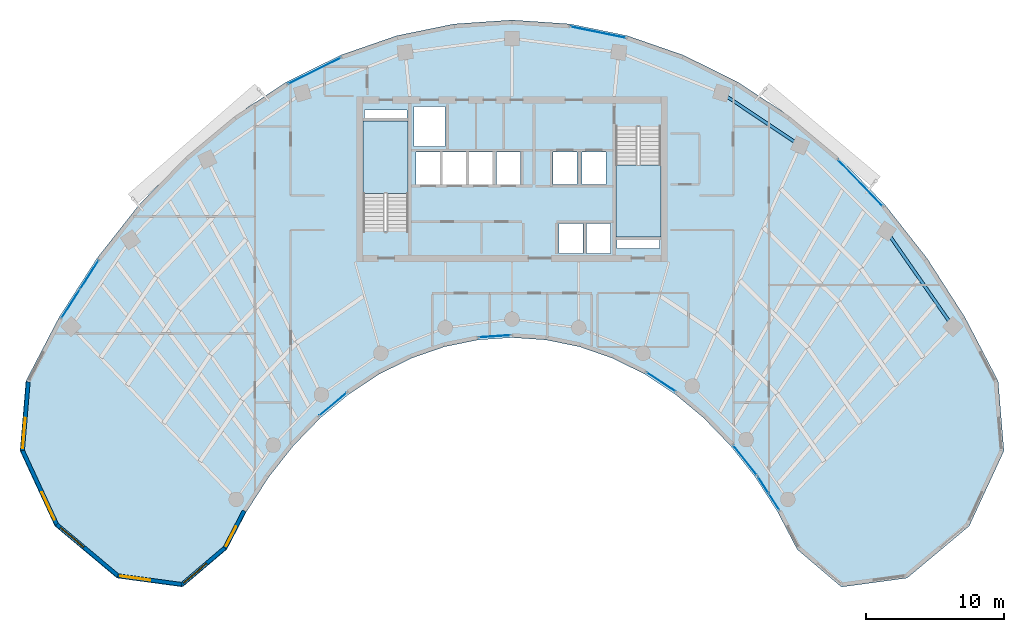
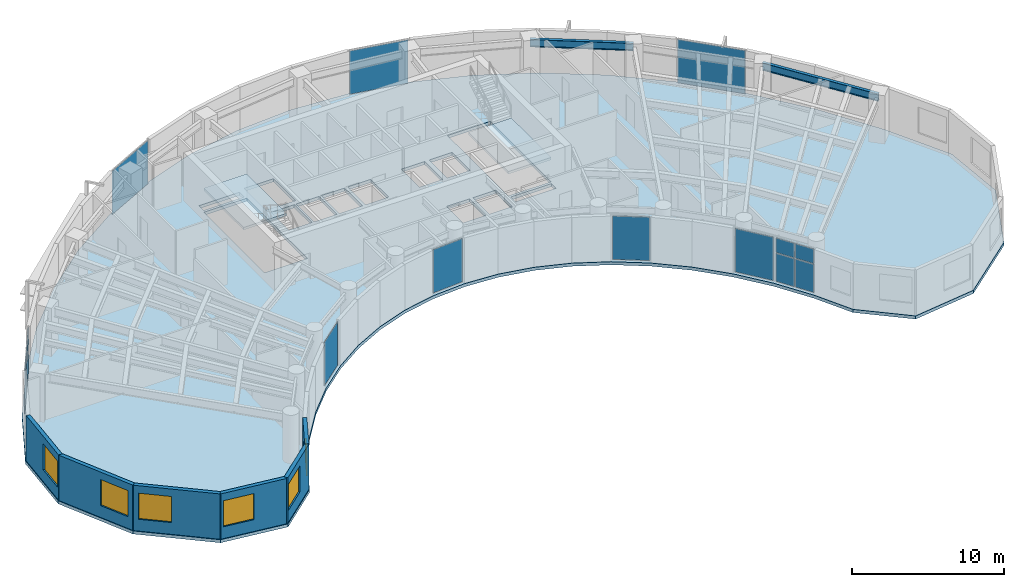
# One storey, part 6 of 13: 15 plates, 6 walls, 6 windows, 3 slabs, 2 beams, 6 openings, 11 elements without a shape of their own.
"""IFC4 building model written with IfcOpenShell, lengths in metres."""

from ifc_helpers import new_model, si_unit, direction, frame, frame_2d, origin, origin_2d, place, context, subcontext, project, spatial, polyline, rectangle, i_section, outline, extrude, source, transform, mapped, material, layer, layer_set, material_profile, profile_set, type_object, type_shapes, element, fill, aggregate, save


model = new_model("IFC4")

# Units and contexts
model_context = context("Model", 3, precision=1e-05, world=origin(), true_north=direction((0.0, 1.0)))
body_context = subcontext(model_context, "Body", "Model", "MODEL_VIEW")
ifc_project = project(units=[si_unit("LENGTHUNIT", "METRE"), si_unit("AREAUNIT", "SQUARE_METRE"), si_unit("VOLUMEUNIT", "CUBIC_METRE"), si_unit("PLANEANGLEUNIT", "RADIAN"), si_unit("MASSUNIT", "GRAM", prefix="KILO")], contexts=[model_context])

# Site, building, storey
site_placement = place(None, origin())
site = spatial("IfcSite", under=ifc_project, at=site_placement, CompositionType="ELEMENT")
building_placement = place(site_placement, origin())
building = spatial("IfcBuilding", under=site, at=building_placement, Name="Breltana Convention Tower", CompositionType="ELEMENT")
storey_placement = place(building_placement, frame((0.0, 0.0, 146.699951171875)))
storey = spatial("IfcBuildingStorey", under=building, at=storey_placement, Name="L35", CompositionType="ELEMENT", Elevation=146.699951171875)

# Beams
ifc_material_1 = material(Name="Steel ASTM A992 Grade 50", Category="steel")
ifc_material_profile = material_profile(ifc_material_1, i_section(OverallWidth=0.22802734375, OverallDepth=0.60791015625, WebThickness=0.01123046875, FlangeThickness=0.017333984375, at=origin_2d()), Name="W24X76")
ifc_profile_set = profile_set([ifc_material_profile], Name="Steel ASTM A992 Grade 50")
beam_type = type_object("IfcBeamType", Name="BM-SP-W24X76", PredefinedType="SPANDREL", material=ifc_profile_set)
shared_shape_1 = source(origin(), body_context, "Body", "SweptSolid", [
    extrude(i_section(OverallWidth=0.22802734375, OverallDepth=0.60791015625, WebThickness=0.01123046875, FlangeThickness=0.017333984375, at=origin_2d()), origin(), (0.0, 0.0, 1.0), 6.856689453125),
])
beam_1_placement = place(storey_placement, frame((63.208984375, 72.4423828125, 3.345947265625), z_axis=(0.83150210718, -0.55552159792, 0.0), x_axis=(0.55552159792, 0.83150210718, 0.0)))
element("IfcBeam", 1, at=beam_1_placement, inside=storey, type_object=beam_type, Name="L35 Outer Spandrel Beam 08", PredefinedType="SPANDREL", context=body_context, shape_type="MappedRepresentation", body=[
    mapped(shared_shape_1, transform((0.0, 0.0, 0.0), scale=1.0)),
])
shared_shape_2 = source(origin(), body_context, "Body", "SweptSolid", [
    extrude(i_section(OverallWidth=0.22802734375, OverallDepth=0.60791015625, WebThickness=0.01123046875, FlangeThickness=0.017333984375, at=origin_2d()), origin(), (0.0, 0.0, 1.0), 8.44970703125),
])
beam_2_placement = place(storey_placement, frame((75.166748046875, 62.43017578125, 3.345947265625), z_axis=(0.5711855381, -0.820820979913, 0.0), x_axis=(0.820820979913, 0.5711855381, 0.0)))
element("IfcBeam", 2, at=beam_2_placement, inside=storey, type_object=beam_type, Name="L35 Outer Spandrel Beam 10", PredefinedType="SPANDREL", context=body_context, shape_type="MappedRepresentation", body=[
    mapped(shared_shape_2, transform((0.0, 0.0, 0.0), scale=1.0)),
])

# Slab
ifc_material_2 = material(Name="Concrete C40/50", Category="concrete")
ifc_layer_1 = layer(ifc_material_2, 0.25, Name="Concrete C40/50")
ifc_layer_set_1 = layer_set([ifc_layer_1], Name="Concrete C40/50")
slab_type_1 = type_object("IfcSlabType", Name="SL-OFF-250", PredefinedType="FLOOR", material=ifc_layer_set_1)
slab_1_placement = place(storey_placement, frame((0.0, 0.0, -0.25)))
element("IfcSlab", 3, at=slab_1_placement, inside=storey, type_object=slab_type_1, Name="L35 Suspended Structural Floor Slab", PredefinedType="FLOOR", context=body_context, shape_type="SweptSolid", body=[
    extrude(outline(polyline([(83.27880859375, 51.539794921875), (80.870361328125, 56.166015625), (78.12548828125, 60.442138671875), (75.072265625, 64.32470703125), (71.74169921875, 67.774169921875), (68.168212890625, 70.7548828125), (64.387939453125, 73.236328125), (60.440185546875, 75.193115234375), (56.36474609375, 76.60546875), (52.203857421875, 77.45849609375), (48.0, 77.743896484375), (43.796142578125, 77.45849609375), (39.63525390625, 76.60546875), (35.559814453125, 75.193115234375), (31.612060546875, 73.236328125), (27.831787109375, 70.7548828125), (24.25830078125, 67.774169921875), (20.927734375, 64.32470703125), (17.87451171875, 60.442138671875), (15.129638671875, 56.166015625), (12.72119140625, 51.539794921875), (12.298095703125, 46.4794921875), (14.822509765625, 41.019287109375), (19.329833984375, 37.2451171875), (24.098876953125, 36.598388671875), (27.3076171875, 39.326171875), (28.72021484375, 42.03955078125), (30.330078125, 44.5478515625), (32.12109375, 46.8251953125), (34.07470703125, 48.848388671875), (36.170654296875, 50.5966796875), (38.3876953125, 52.052001953125), (40.703369140625, 53.19970703125), (43.09375, 54.0283203125), (45.5341796875, 54.528564453125), (48.0, 54.696044921875), (50.4658203125, 54.528564453125), (52.90625, 54.0283203125), (55.296630859375, 53.19970703125), (57.6123046875, 52.052001953125), (59.829345703125, 50.5966796875), (61.92529296875, 48.848388671875), (63.87890625, 46.8251953125), (65.669921875, 44.5478515625), (67.27978515625, 42.03955078125), (68.6923828125, 39.326171875), (71.901123046875, 36.598388671875), (76.670166015625, 37.2451171875), (81.177490234375, 41.019287109375), (83.701904296875, 46.4794921875), (83.27880859375, 51.539794921875)]), holes=[polyline([(37.199951171875, 62.385009765625), (40.469970703125, 62.385009765625), (40.469970703125, 70.39990234375), (37.199951171875, 70.39990234375), (37.199951171875, 62.385009765625)]), polyline([(55.530029296875, 62.0), (58.800048828125, 62.0), (58.800048828125, 70.014892578125), (55.530029296875, 70.014892578125), (55.530029296875, 62.0)]), polyline([(51.39990234375, 60.800048828125), (53.159912109375, 60.800048828125), (53.159912109375, 62.97998046875), (51.39990234375, 62.97998046875), (51.39990234375, 60.800048828125)]), polyline([(53.39990234375, 60.800048828125), (55.159912109375, 60.800048828125), (55.159912109375, 62.97998046875), (53.39990234375, 62.97998046875), (53.39990234375, 60.800048828125)]), polyline([(41.0400390625, 65.820068359375), (42.800048828125, 65.820068359375), (42.800048828125, 68.179931640625), (41.0400390625, 68.179931640625), (41.0400390625, 65.820068359375)]), polyline([(42.93994140625, 65.820068359375), (44.699951171875, 65.820068359375), (44.699951171875, 68.179931640625), (42.93994140625, 68.179931640625), (42.93994140625, 65.820068359375)]), polyline([(44.8701171875, 65.820068359375), (46.6298828125, 65.820068359375), (46.6298828125, 68.179931640625), (44.8701171875, 68.179931640625), (44.8701171875, 65.820068359375)]), polyline([(46.8701171875, 65.820068359375), (48.6298828125, 65.820068359375), (48.6298828125, 68.179931640625), (46.8701171875, 68.179931640625), (46.8701171875, 65.820068359375)]), polyline([(50.969970703125, 65.800048828125), (52.72998046875, 65.800048828125), (52.72998046875, 68.179931640625), (50.969970703125, 68.179931640625), (50.969970703125, 65.800048828125)]), polyline([(53.070068359375, 65.800048828125), (54.830078125, 65.800048828125), (54.830078125, 68.179931640625), (53.070068359375, 68.179931640625), (53.070068359375, 65.800048828125)]), polyline([(40.8798828125, 68.550048828125), (43.1201171875, 68.550048828125), (43.1201171875, 71.449951171875), (40.8798828125, 71.449951171875), (40.8798828125, 68.550048828125)]), polyline([(37.300048828125, 70.60009765625), (40.3798828125, 70.60009765625), (40.3798828125, 71.219970703125), (37.300048828125, 71.219970703125), (37.300048828125, 70.60009765625)]), polyline([(55.6201171875, 61.179931640625), (58.699951171875, 61.179931640625), (58.699951171875, 61.800048828125), (55.6201171875, 61.800048828125), (55.6201171875, 61.179931640625)])]), origin(), (0.0, 0.0, 1.0), 0.25),
])

# Stair, slab
stair_type = type_object("IfcStairType", Name="ST-DOG-1560-R177", PredefinedType="HALF_TURN_STAIR", material=ifc_material_2)
stair_1_placement = place(storey_placement, origin())
stair_1 = element("IfcStair", 4, at=stair_1_placement, inside=storey, type_object=stair_type, Name="L35 Protected Core Exit Stair ST-1", PredefinedType="HALF_TURN_STAIR")
ifc_layer_2 = layer(ifc_material_2, 0.199951171875, Name="Concrete C40/50")
ifc_layer_set_2 = layer_set([ifc_layer_2], Name="Concrete C40/50")
slab_type_2 = type_object("IfcSlabType", Name="SL-STAIR-LANDING-200", PredefinedType="LANDING", material=ifc_layer_set_2)
slab_2_placement = place(storey_placement, frame((0.0, 0.0, 1.75)))
slab_2 = element("IfcSlab", 5, at=slab_2_placement, type_object=slab_type_2, Name="ST-1 landing 1", PredefinedType="LANDING", context=body_context, shape_type="SweptSolid", body=[
    extrude(outline(polyline([(40.469970703125, 65.159912109375), (40.469970703125, 70.39990234375), (37.199951171875, 70.39990234375), (37.199951171875, 65.159912109375), (40.469970703125, 65.159912109375)])), origin(), (0.0, 0.0, 1.0), 0.199951171875),
])
aggregate(stair_1, [slab_2])

stair_2_placement = place(storey_placement, origin())
stair_2 = element("IfcStair", 6, at=stair_2_placement, inside=storey, type_object=stair_type, Name="L35 Protected Core Exit Stair ST-2", PredefinedType="HALF_TURN_STAIR")
slab_3_placement = place(storey_placement, frame((0.0, 0.0, 1.75)))
slab_3 = element("IfcSlab", 7, at=slab_3_placement, type_object=slab_type_2, Name="ST-2 landing 1", PredefinedType="LANDING", context=body_context, shape_type="SweptSolid", body=[
    extrude(outline(polyline([(55.530029296875, 67.239990234375), (55.530029296875, 62.0), (58.800048828125, 62.0), (58.800048828125, 67.239990234375), (55.530029296875, 67.239990234375)])), origin(), (0.0, 0.0, 1.0), 0.199951171875),
])
aggregate(stair_2, [slab_3])

# Curtain wall, plates
ifc_material_3 = material(Name="Aluminium Anodised Bronze Frame", Category="aluminium")
ifc_layer_3 = layer(ifc_material_3, 0.18994140625, Name="Aluminium Anodised Bronze Frame")
ifc_layer_set_3 = layer_set([ifc_layer_3], Name="Aluminium Anodised Bronze Frame")
curtain_wall_type_1 = type_object("IfcCurtainWallType", Name="CW-SYS-1", PredefinedType="NOTDEFINED", material=ifc_layer_set_3)
curtain_wall_1_placement = place(storey_placement, origin())
curtain_wall_1 = element("IfcCurtainWall", 8, at=curtain_wall_1_placement, inside=storey, type_object=curtain_wall_type_1, Name="L35 inner south-court glazing 1", PredefinedType="NOTDEFINED")
ifc_material_4 = material(Name="Glass Low-E Double Glazing", Category="glass")
ifc_layer_4 = layer(ifc_material_4, 0.028076171875, Name="Glass Low-E Double Glazing")
ifc_layer_set_4 = layer_set([ifc_layer_4], Name="Glass Low-E Double Glazing")
plate_type = type_object("IfcPlateType", Name="CWP-IGU-28", PredefinedType="CURTAIN_PANEL", material=ifc_layer_set_4)
shared_shape_3 = source(origin(), body_context, "Body", "SweptSolid", [
    extrude(rectangle(XDim=1.3701171875, YDim=0.028076171875, at=origin_2d()), origin(), (0.0, 0.0, 1.0), 2.25244140625),
])
plate_1_placement = place(storey_placement, frame((67.01806640625, 42.78076171875, 0.080078125), z_axis=(0.0, 0.0, 1.0), x_axis=(-0.540184298954, 0.841546744491, 0.0)))
plate_1 = element("IfcPlate", 9, at=plate_1_placement, type_object=plate_type, Name="CW-01 panel 1.1", PredefinedType="CURTAIN_PANEL", context=body_context, shape_type="MappedRepresentation", body=[
    mapped(shared_shape_3, transform((0.0, 0.0, 0.0), scale=1.0)),
])
plate_2_placement = place(storey_placement, frame((66.234619140625, 44.001220703125, 0.080078125), z_axis=(0.0, 0.0, 1.0), x_axis=(-0.540184298954, 0.841546744491, 0.0)))
plate_2 = element("IfcPlate", 10, at=plate_2_placement, type_object=plate_type, Name="CW-01 panel 2.1", PredefinedType="CURTAIN_PANEL", context=body_context, shape_type="MappedRepresentation", body=[
    mapped(shared_shape_3, transform((0.0, 0.0, 0.0), scale=1.0)),
])
shared_shape_4 = source(origin(), body_context, "Body", "SweptSolid", [
    extrude(rectangle(XDim=1.3701171875, YDim=0.028076171875, at=origin_2d()), origin(), (0.0, 0.0, 1.0), 1.157470703125),
])
plate_3_placement = place(storey_placement, frame((67.01806640625, 42.78076171875, 2.41259765625), z_axis=(0.0, 0.0, 1.0), x_axis=(-0.540184298954, 0.841546744491, 0.0)))
plate_3 = element("IfcPlate", 11, at=plate_3_placement, type_object=plate_type, Name="CW-01 panel 1.2", PredefinedType="CURTAIN_PANEL", context=body_context, shape_type="MappedRepresentation", body=[
    mapped(shared_shape_4, transform((0.0, 0.0, 0.0), scale=1.0)),
])
plate_4_placement = place(storey_placement, frame((66.234619140625, 44.001220703125, 2.41259765625), z_axis=(0.0, 0.0, 1.0), x_axis=(-0.540184298954, 0.841546744491, 0.0)))
plate_4 = element("IfcPlate", 12, at=plate_4_placement, type_object=plate_type, Name="CW-01 panel 2.2", PredefinedType="CURTAIN_PANEL", context=body_context, shape_type="MappedRepresentation", body=[
    mapped(shared_shape_4, transform((0.0, 0.0, 0.0), scale=1.0)),
])
aggregate(curtain_wall_1, [plate_1, plate_3, plate_2, plate_4])

# Curtain wall, plate
curtain_wall_2_placement = place(storey_placement, origin())
curtain_wall_2 = element("IfcCurtainWall", 13, at=curtain_wall_2_placement, inside=storey, type_object=curtain_wall_type_1, Name="L35 inner south-court glazing 2", PredefinedType="NOTDEFINED")
shared_shape_5 = source(origin(), body_context, "Body", "SweptSolid", [
    extrude(rectangle(XDim=2.737060546875, YDim=0.028076171875, at=origin_2d()), origin(), (0.0, 0.0, 1.0), 3.489990234375),
])
plate_5_placement = place(storey_placement, frame((64.915771484375, 45.7978515625, 0.080078125), z_axis=(0.0, 0.0, 1.0), x_axis=(-0.618161435717, 0.786051168431, 0.0)))
plate_5 = element("IfcPlate", 14, at=plate_5_placement, type_object=plate_type, Name="CW-01 panel 1.1", PredefinedType="CURTAIN_PANEL", context=body_context, shape_type="MappedRepresentation", body=[
    mapped(shared_shape_5, transform((0.0, 0.0, 0.0), scale=1.0)),
])
aggregate(curtain_wall_2, [plate_5])

curtain_wall_3_placement = place(storey_placement, origin())
curtain_wall_3 = element("IfcCurtainWall", 15, at=curtain_wall_3_placement, inside=storey, type_object=curtain_wall_type_1, Name="L35 inner south-court glazing 3", PredefinedType="NOTDEFINED")
shared_shape_6 = source(origin(), body_context, "Body", "SweptSolid", [
    extrude(rectangle(XDim=2.4921875, YDim=0.028076171875, at=origin_2d()), origin(), (0.0, 0.0, 1.0), 3.489990234375),
])
plate_6_placement = place(storey_placement, frame((58.819580078125, 51.474853515625, 0.080078125), z_axis=(0.0, 0.0, 1.0), x_axis=(-0.835985210307, 0.548751973252, 0.0)))
plate_6 = element("IfcPlate", 16, at=plate_6_placement, type_object=plate_type, Name="CW-01 panel 1.1", PredefinedType="CURTAIN_PANEL", context=body_context, shape_type="MappedRepresentation", body=[
    mapped(shared_shape_6, transform((0.0, 0.0, 0.0), scale=1.0)),
])
aggregate(curtain_wall_3, [plate_6])

curtain_wall_4_placement = place(storey_placement, origin())
curtain_wall_4 = element("IfcCurtainWall", 17, at=curtain_wall_4_placement, inside=storey, type_object=curtain_wall_type_1, Name="L35 inner south-court glazing 4", PredefinedType="NOTDEFINED")
shared_shape_7 = source(origin(), body_context, "Body", "SweptSolid", [
    extrude(rectangle(XDim=2.3115234375, YDim=0.028076171875, at=origin_2d()), origin(), (0.0, 0.0, 1.0), 3.489990234375),
])
plate_7_placement = place(storey_placement, frame((46.7548828125, 54.7919921875, 0.080078125), z_axis=(0.0, 0.0, 1.0), x_axis=(-0.997703496195, -0.067732810965, 0.0)))
plate_7 = element("IfcPlate", 18, at=plate_7_placement, type_object=plate_type, Name="CW-01 panel 1.1", PredefinedType="CURTAIN_PANEL", context=body_context, shape_type="MappedRepresentation", body=[
    mapped(shared_shape_7, transform((0.0, 0.0, 0.0), scale=1.0)),
])
aggregate(curtain_wall_4, [plate_7])

curtain_wall_5_placement = place(storey_placement, origin())
curtain_wall_5 = element("IfcCurtainWall", 19, at=curtain_wall_5_placement, inside=storey, type_object=curtain_wall_type_1, Name="L35 inner south-court glazing 5", PredefinedType="NOTDEFINED")
shared_shape_8 = source(origin(), body_context, "Body", "SweptSolid", [
    extrude(rectangle(XDim=2.5693359375, YDim=0.028076171875, at=origin_2d()), origin(), (0.0, 0.0, 1.0), 3.489990234375),
])
plate_8_placement = place(storey_placement, frame((35.00732421875, 49.860595703125, 0.080078125), z_axis=(0.0, 0.0, 1.0), x_axis=(-0.767926895316, -0.640537495741, 0.0)))
plate_8 = element("IfcPlate", 20, at=plate_8_placement, type_object=plate_type, Name="CW-01 panel 1.1", PredefinedType="CURTAIN_PANEL", context=body_context, shape_type="MappedRepresentation", body=[
    mapped(shared_shape_8, transform((0.0, 0.0, 0.0), scale=1.0)),
])
aggregate(curtain_wall_5, [plate_8])

# Curtain wall, plates
ifc_layer_5 = layer(ifc_material_3, 0.2099609375, Name="Aluminium Anodised Bronze Frame")
ifc_layer_set_5 = layer_set([ifc_layer_5], Name="Aluminium Anodised Bronze Frame")
curtain_wall_type_2 = type_object("IfcCurtainWallType", Name="CW-SYS-3", PredefinedType="NOTDEFINED", material=ifc_layer_set_5)
curtain_wall_6_placement = place(storey_placement, origin())
curtain_wall_6 = element("IfcCurtainWall", 21, at=curtain_wall_6_placement, inside=storey, type_object=curtain_wall_type_2, Name="L35 outer double-skin inner glazing 1", PredefinedType="NOTDEFINED")
shared_shape_9 = source(origin(), body_context, "Body", "SweptSolid", [
    extrude(rectangle(XDim=2.42724609375, YDim=0.028076171875, at=origin_2d()), origin(), (0.0, 0.0, 1.0), 2.25244140625),
])
plate_9_placement = place(storey_placement, frame((15.97900390625, 57.15576171875, 0.080078125), z_axis=(0.0, 0.0, 1.0), x_axis=(0.54017267843, 0.841554203529, 0.0)))
plate_9 = element("IfcPlate", 22, at=plate_9_placement, type_object=plate_type, Name="CW-03 panel 1.1", PredefinedType="CURTAIN_PANEL", context=body_context, shape_type="MappedRepresentation", body=[
    mapped(shared_shape_9, transform((0.0, 0.0, 0.0), scale=1.0)),
])
plate_10_placement = place(storey_placement, frame((17.327880859375, 59.25732421875, 0.080078125), z_axis=(0.0, 0.0, 1.0), x_axis=(0.54017267843, 0.841554203529, 0.0)))
plate_10 = element("IfcPlate", 23, at=plate_10_placement, type_object=plate_type, Name="CW-03 panel 2.1", PredefinedType="CURTAIN_PANEL", context=body_context, shape_type="MappedRepresentation", body=[
    mapped(shared_shape_9, transform((0.0, 0.0, 0.0), scale=1.0)),
])
shared_shape_10 = source(origin(), body_context, "Body", "SweptSolid", [
    extrude(rectangle(XDim=2.42724609375, YDim=0.028076171875, at=origin_2d()), origin(), (0.0, 0.0, 1.0), 1.157470703125),
])
plate_11_placement = place(storey_placement, frame((15.97900390625, 57.15576171875, 2.41259765625), z_axis=(0.0, 0.0, 1.0), x_axis=(0.54017267843, 0.841554203529, 0.0)))
plate_11 = element("IfcPlate", 24, at=plate_11_placement, type_object=plate_type, Name="CW-03 panel 1.2", PredefinedType="CURTAIN_PANEL", context=body_context, shape_type="MappedRepresentation", body=[
    mapped(shared_shape_10, transform((0.0, 0.0, 0.0), scale=1.0)),
])
plate_12_placement = place(storey_placement, frame((17.327880859375, 59.25732421875, 2.41259765625), z_axis=(0.0, 0.0, 1.0), x_axis=(0.54017267843, 0.841554203529, 0.0)))
plate_12 = element("IfcPlate", 25, at=plate_12_placement, type_object=plate_type, Name="CW-03 panel 2.2", PredefinedType="CURTAIN_PANEL", context=body_context, shape_type="MappedRepresentation", body=[
    mapped(shared_shape_10, transform((0.0, 0.0, 0.0), scale=1.0)),
])
aggregate(curtain_wall_6, [plate_9, plate_11, plate_10, plate_12])

# Curtain wall, plate
curtain_wall_7_placement = place(storey_placement, origin())
curtain_wall_7 = element("IfcCurtainWall", 26, at=curtain_wall_7_placement, inside=storey, type_object=curtain_wall_type_2, Name="L35 outer double-skin inner glazing 2", PredefinedType="NOTDEFINED")
shared_shape_11 = source(origin(), body_context, "Body", "SweptSolid", [
    extrude(rectangle(XDim=4.243896484375, YDim=0.028076171875, at=origin_2d()), origin(), (0.0, 0.0, 1.0), 3.489990234375),
])
plate_13_placement = place(storey_placement, frame((33.665771484375, 74.053466796875, 0.080078125), z_axis=(0.0, 0.0, 1.0), x_axis=(0.895968385619, 0.444117835682, 0.0)))
plate_13 = element("IfcPlate", 27, at=plate_13_placement, type_object=plate_type, Name="CW-03 panel 1.1", PredefinedType="CURTAIN_PANEL", context=body_context, shape_type="MappedRepresentation", body=[
    mapped(shared_shape_11, transform((0.0, 0.0, 0.0), scale=1.0)),
])
aggregate(curtain_wall_7, [plate_13])

curtain_wall_8_placement = place(storey_placement, origin())
curtain_wall_8 = element("IfcCurtainWall", 28, at=curtain_wall_8_placement, inside=storey, type_object=curtain_wall_type_2, Name="L35 outer double-skin inner glazing 3", PredefinedType="NOTDEFINED")
shared_shape_12 = source(origin(), body_context, "Body", "SweptSolid", [
    extrude(rectangle(XDim=4.08349609375, YDim=0.028076171875, at=origin_2d()), origin(), (0.0, 0.0, 1.0), 3.489990234375),
])
plate_14_placement = place(storey_placement, frame((54.248291015625, 76.855712890625, 0.080078125), z_axis=(0.0, 0.0, 1.0), x_axis=(0.979616560993, -0.200876562668, 0.0)))
plate_14 = element("IfcPlate", 29, at=plate_14_placement, type_object=plate_type, Name="CW-03 panel 1.1", PredefinedType="CURTAIN_PANEL", context=body_context, shape_type="MappedRepresentation", body=[
    mapped(shared_shape_12, transform((0.0, 0.0, 0.0), scale=1.0)),
])
aggregate(curtain_wall_8, [plate_14])

curtain_wall_9_placement = place(storey_placement, origin())
curtain_wall_9 = element("IfcCurtainWall", 30, at=curtain_wall_9_placement, inside=storey, type_object=curtain_wall_type_2, Name="L35 outer double-skin inner glazing 4", PredefinedType="NOTDEFINED")
shared_shape_13 = source(origin(), body_context, "Body", "SweptSolid", [
    extrude(rectangle(XDim=4.635986328125, YDim=0.028076171875, at=origin_2d()), origin(), (0.0, 0.0, 1.0), 3.489990234375),
])
plate_15_placement = place(storey_placement, frame((73.277587890625, 65.92431640625, 0.080078125), z_axis=(0.0, 0.0, 1.0), x_axis=(0.694602734297, -0.719393523398, 0.0)))
plate_15 = element("IfcPlate", 31, at=plate_15_placement, type_object=plate_type, Name="CW-03 panel 1.1", PredefinedType="CURTAIN_PANEL", context=body_context, shape_type="MappedRepresentation", body=[
    mapped(shared_shape_13, transform((0.0, 0.0, 0.0), scale=1.0)),
])
aggregate(curtain_wall_9, [plate_15])

# Wall, opening, window
ifc_material_5 = material(Name="Limestone Buff Insulated Wall", Category="masonry")
ifc_layer_6 = layer(ifc_material_5, 0.280029296875, Name="Limestone Buff Insulated Wall")
ifc_layer_set_6 = layer_set([ifc_layer_6], Name="Limestone Buff Insulated Wall")
wall_type = type_object("IfcWallType", Name="WL-EXT-NOSE-280", PredefinedType="SOLIDWALL", material=ifc_layer_set_6)
shared_shape_14 = source(origin(), body_context, "Body", "SweptSolid", [
    extrude(rectangle(XDim=4.994384765625, YDim=0.280029296875, at=frame_2d((2.4970703125, 0.0))), origin(), (0.0, 0.0, 1.0), 3.650146484375),
])
wall_1_placement = place(storey_placement, frame((12.4814453125, 46.51171875, 0.0), z_axis=(0.0, 0.0, 1.0), x_axis=(0.083344839916, 0.996520766296, 0.0)))
wall_1 = element("IfcWall", 32, at=wall_1_placement, inside=storey, type_object=wall_type, Name="L35 curved limestone nose wall W6", PredefinedType="SOLIDWALL", context=body_context, shape_type="MappedRepresentation", body=[
    mapped(shared_shape_14, transform((0.0, 0.0, 0.0), scale=1.0)),
])
opening_1_placement = place(wall_1_placement, frame((0.159912109375, 0.0, 0.949951171875)))
opening_1 = element("IfcOpeningElement", 33, at=opening_1_placement, cuts=wall_1, Name="Opening W-03", PredefinedType="OPENING", context=body_context, shape_type="SweptSolid", body=[
    extrude(rectangle(XDim=2.199951171875, YDim=2.10009765625, at=frame_2d((1.10009765625, 1.050048828125))), frame((0.0, 0.14990234375, 0.0), z_axis=(0.0, -1.0, 0.0), x_axis=(1.0, 0.0, 0.0)), (0.0, 0.0, 1.0), 0.300048828125),
])
ifc_material_6 = material(Name="Glass Low-E Insulated Window", Category="glass")
window_type_1 = type_object("IfcWindowType", Name="WN-NOSE-2200X2100", PartitioningType="TRIPLE_PANEL_VERTICAL", PredefinedType="WINDOW", material=ifc_material_6)
shared_shape_15 = source(origin(), body_context, "Body", "SweptSolid", [
    extrude(rectangle(XDim=2.199951171875, YDim=2.10009765625, at=frame_2d((1.10009765625, 1.050048828125))), frame((0.0, 0.030029296875, 0.0), z_axis=(0.0, -1.0, 0.0), x_axis=(1.0, 0.0, 0.0)), (0.0, 0.0, 1.0), 0.06005859375),
])
type_shapes(window_type_1, [shared_shape_15])
window_1_placement = place(opening_1_placement, origin())
window_1 = element("IfcWindow", 34, at=window_1_placement, inside=storey, type_object=window_type_1, Name="L35 nose window W6", OverallHeight=2.10009765625, OverallWidth=2.199951171875, PartitioningType="TRIPLE_PANEL_VERTICAL", PredefinedType="WINDOW", context=body_context, shape_type="MappedRepresentation", body=[
    mapped(shared_shape_15, transform((0.0, 0.0, 0.0), scale=1.0)),
])
fill(opening_1, window_1)

shared_shape_16 = source(origin(), body_context, "Body", "SweptSolid", [
    extrude(rectangle(XDim=5.927490234375, YDim=0.280029296875, at=frame_2d((2.9638671875, 0.0))), origin(), (0.0, 0.0, 1.0), 3.650146484375),
])
wall_2_placement = place(storey_placement, frame((14.968994140625, 41.13134765625, 0.0), z_axis=(0.0, 0.0, 1.0), x_axis=(-0.419656204795, 0.907683132914, 0.0)))
wall_2 = element("IfcWall", 35, at=wall_2_placement, inside=storey, type_object=wall_type, Name="L35 curved limestone nose wall W5", PredefinedType="SOLIDWALL", context=body_context, shape_type="MappedRepresentation", body=[
    mapped(shared_shape_16, transform((0.0, 0.0, 0.0), scale=1.0)),
])
opening_2_placement = place(wall_2_placement, frame((0.3818359375, 0.0, 0.949951171875)))
opening_2 = element("IfcOpeningElement", 36, at=opening_2_placement, cuts=wall_2, Name="Opening W-03", PredefinedType="OPENING", context=body_context, shape_type="SweptSolid", body=[
    extrude(rectangle(XDim=2.199951171875, YDim=2.10009765625, at=frame_2d((1.10009765625, 1.050048828125))), frame((0.0, 0.14990234375, 0.0), z_axis=(0.0, -1.0, 0.0), x_axis=(1.0, 0.0, 0.0)), (0.0, 0.0, 1.0), 0.300048828125),
])
window_2_placement = place(opening_2_placement, origin())
window_2 = element("IfcWindow", 37, at=window_2_placement, inside=storey, type_object=window_type_1, Name="L35 nose window W5", OverallHeight=2.10009765625, OverallWidth=2.199951171875, PartitioningType="TRIPLE_PANEL_VERTICAL", PredefinedType="WINDOW", context=body_context, shape_type="MappedRepresentation", body=[
    mapped(shared_shape_15, transform((0.0, 0.0, 0.0), scale=1.0)),
])
fill(opening_2, window_2)

shared_shape_17 = source(origin(), body_context, "Body", "SweptSolid", [
    extrude(rectangle(XDim=5.786376953125, YDim=0.280029296875, at=frame_2d((2.89306640625, 0.0))), origin(), (0.0, 0.0, 1.0), 3.650146484375),
])
wall_3_placement = place(storey_placement, frame((19.405517578125, 37.41650390625, 0.0), z_axis=(0.0, 0.0, 1.0), x_axis=(-0.766711306852, 0.641992034176, 0.0)))
wall_3 = element("IfcWall", 38, at=wall_3_placement, inside=storey, type_object=wall_type, Name="L35 curved limestone nose wall W4", PredefinedType="SOLIDWALL", context=body_context, shape_type="MappedRepresentation", body=[
    mapped(shared_shape_17, transform((0.0, 0.0, 0.0), scale=1.0)),
])
opening_3_placement = place(wall_3_placement, frame((3.239990234375, 0.0, 0.949951171875)))
opening_3 = element("IfcOpeningElement", 39, at=opening_3_placement, cuts=wall_3, Name="Opening W-03", PredefinedType="OPENING", context=body_context, shape_type="SweptSolid", body=[
    extrude(rectangle(XDim=2.199951171875, YDim=2.10009765625, at=frame_2d((1.10009765625, 1.050048828125))), frame((0.0, 0.14990234375, 0.0), z_axis=(0.0, -1.0, 0.0), x_axis=(1.0, 0.0, 0.0)), (0.0, 0.0, 1.0), 0.300048828125),
])
window_3_placement = place(opening_3_placement, origin())
window_3 = element("IfcWindow", 40, at=window_3_placement, inside=storey, type_object=window_type_1, Name="L35 nose window W4", OverallHeight=2.10009765625, OverallWidth=2.199951171875, PartitioningType="TRIPLE_PANEL_VERTICAL", PredefinedType="WINDOW", context=body_context, shape_type="MappedRepresentation", body=[
    mapped(shared_shape_15, transform((0.0, 0.0, 0.0), scale=1.0)),
])
fill(opening_3, window_3)

shared_shape_18 = source(origin(), body_context, "Body", "SweptSolid", [
    extrude(rectangle(XDim=4.680419921875, YDim=0.280029296875, at=frame_2d((2.34033203125, 0.0))), origin(), (0.0, 0.0, 1.0), 3.650146484375),
])
wall_4_placement = place(storey_placement, frame((24.04345703125, 36.78759765625, 0.0), z_axis=(0.0, 0.0, 1.0), x_axis=(-0.990931146435, 0.134370618162, 0.0)))
wall_4 = element("IfcWall", 41, at=wall_4_placement, inside=storey, type_object=wall_type, Name="L35 curved limestone nose wall W3", PredefinedType="SOLIDWALL", context=body_context, shape_type="MappedRepresentation", body=[
    mapped(shared_shape_18, transform((0.0, 0.0, 0.0), scale=1.0)),
])
opening_4_placement = place(wall_4_placement, frame((2.3203125, 0.0, 0.949951171875)))
opening_4 = element("IfcOpeningElement", 42, at=opening_4_placement, cuts=wall_4, Name="Opening W-03", PredefinedType="OPENING", context=body_context, shape_type="SweptSolid", body=[
    extrude(rectangle(XDim=2.199951171875, YDim=2.10009765625, at=frame_2d((1.10009765625, 1.050048828125))), frame((0.0, 0.14990234375, 0.0), z_axis=(0.0, -1.0, 0.0), x_axis=(1.0, 0.0, 0.0)), (0.0, 0.0, 1.0), 0.300048828125),
])
window_4_placement = place(opening_4_placement, origin())
window_4 = element("IfcWindow", 43, at=window_4_placement, inside=storey, type_object=window_type_1, Name="L35 nose window W3", OverallHeight=2.10009765625, OverallWidth=2.199951171875, PartitioningType="TRIPLE_PANEL_VERTICAL", PredefinedType="WINDOW", context=body_context, shape_type="MappedRepresentation", body=[
    mapped(shared_shape_15, transform((0.0, 0.0, 0.0), scale=1.0)),
])
fill(opening_4, window_4)

shared_shape_19 = source(origin(), body_context, "Body", "SweptSolid", [
    extrude(rectangle(XDim=4.095947265625, YDim=0.280029296875, at=frame_2d((2.0478515625, 0.0))), origin(), (0.0, 0.0, 1.0), 3.650146484375),
])
wall_5_placement = place(storey_placement, frame((27.164306640625, 39.4404296875, 0.0), z_axis=(0.0, 0.0, 1.0), x_axis=(-0.761926081737, -0.647663991564, 0.0)))
wall_5 = element("IfcWall", 44, at=wall_5_placement, inside=storey, type_object=wall_type, Name="L35 curved limestone nose wall W2", PredefinedType="SOLIDWALL", context=body_context, shape_type="MappedRepresentation", body=[
    mapped(shared_shape_19, transform((0.0, 0.0, 0.0), scale=1.0)),
])
opening_5_placement = place(wall_5_placement, frame((1.736083984375, 0.0, 0.949951171875)))
opening_5 = element("IfcOpeningElement", 45, at=opening_5_placement, cuts=wall_5, Name="Opening W-03", PredefinedType="OPENING", context=body_context, shape_type="SweptSolid", body=[
    extrude(rectangle(XDim=2.199951171875, YDim=2.10009765625, at=frame_2d((1.10009765625, 1.050048828125))), frame((0.0, 0.14990234375, 0.0), z_axis=(0.0, -1.0, 0.0), x_axis=(1.0, 0.0, 0.0)), (0.0, 0.0, 1.0), 0.300048828125),
])
window_5_placement = place(opening_5_placement, origin())
window_5 = element("IfcWindow", 46, at=window_5_placement, inside=storey, type_object=window_type_1, Name="L35 nose window W2", OverallHeight=2.10009765625, OverallWidth=2.199951171875, PartitioningType="TRIPLE_PANEL_VERTICAL", PredefinedType="WINDOW", context=body_context, shape_type="MappedRepresentation", body=[
    mapped(shared_shape_15, transform((0.0, 0.0, 0.0), scale=1.0)),
])
fill(opening_5, window_5)

shared_shape_20 = source(origin(), body_context, "Body", "SweptSolid", [
    extrude(rectangle(XDim=3.02392578125, YDim=0.280029296875, at=frame_2d((1.511962890625, 0.0))), origin(), (0.0, 0.0, 1.0), 3.650146484375),
])
wall_6_placement = place(storey_placement, frame((28.560546875, 42.122802734375, 0.0), z_axis=(0.0, 0.0, 1.0), x_axis=(-0.461718746531, -0.887026380161, 0.0)))
wall_6 = element("IfcWall", 47, at=wall_6_placement, inside=storey, type_object=wall_type, Name="L35 curved limestone nose wall W1", PredefinedType="SOLIDWALL", context=body_context, shape_type="MappedRepresentation", body=[
    mapped(shared_shape_20, transform((0.0, 0.0, 0.0), scale=1.0)),
])
opening_6_placement = place(wall_6_placement, frame((1.263916015625, 0.0, 0.949951171875)))
opening_6 = element("IfcOpeningElement", 48, at=opening_6_placement, cuts=wall_6, Name="Opening W-04", PredefinedType="OPENING", context=body_context, shape_type="SweptSolid", body=[
    extrude(rectangle(XDim=1.60009765625, YDim=1.89990234375, at=frame_2d((0.800048828125, 0.949951171875))), frame((0.0, 0.14990234375, 0.0), z_axis=(0.0, -1.0, 0.0), x_axis=(1.0, 0.0, 0.0)), (0.0, 0.0, 1.0), 0.300048828125),
])
window_type_2 = type_object("IfcWindowType", Name="WN-NOSE-1600X1900", PartitioningType="SINGLE_PANEL", PredefinedType="WINDOW", material=ifc_material_6)
shared_shape_21 = source(origin(), body_context, "Body", "SweptSolid", [
    extrude(rectangle(XDim=1.60009765625, YDim=1.89990234375, at=frame_2d((0.800048828125, 0.949951171875))), frame((0.0, 0.030029296875, 0.0), z_axis=(0.0, -1.0, 0.0), x_axis=(1.0, 0.0, 0.0)), (0.0, 0.0, 1.0), 0.06005859375),
])
type_shapes(window_type_2, [shared_shape_21])
window_6_placement = place(opening_6_placement, origin())
window_6 = element("IfcWindow", 49, at=window_6_placement, inside=storey, type_object=window_type_2, Name="L35 nose window W1", OverallHeight=1.89990234375, OverallWidth=1.60009765625, PartitioningType="SINGLE_PANEL", PredefinedType="WINDOW", context=body_context, shape_type="MappedRepresentation", body=[
    mapped(shared_shape_21, transform((0.0, 0.0, 0.0), scale=1.0)),
])
fill(opening_6, window_6)

save(model, "model.ifc")
